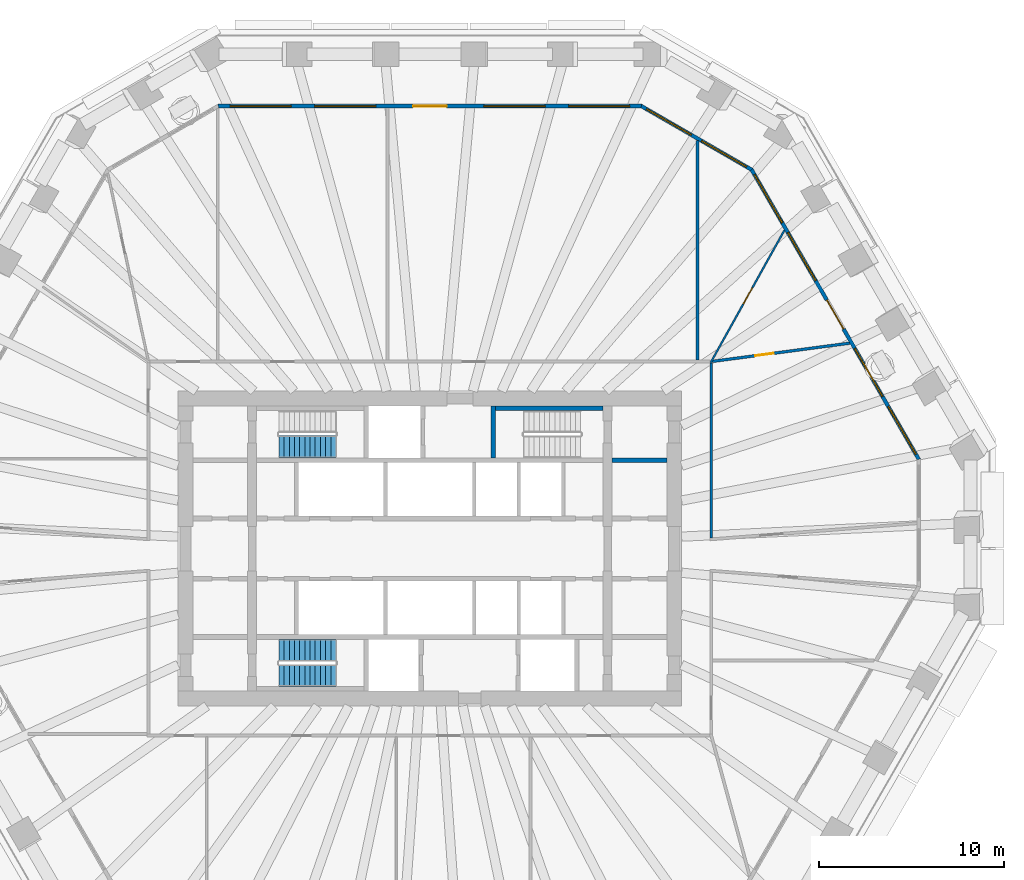
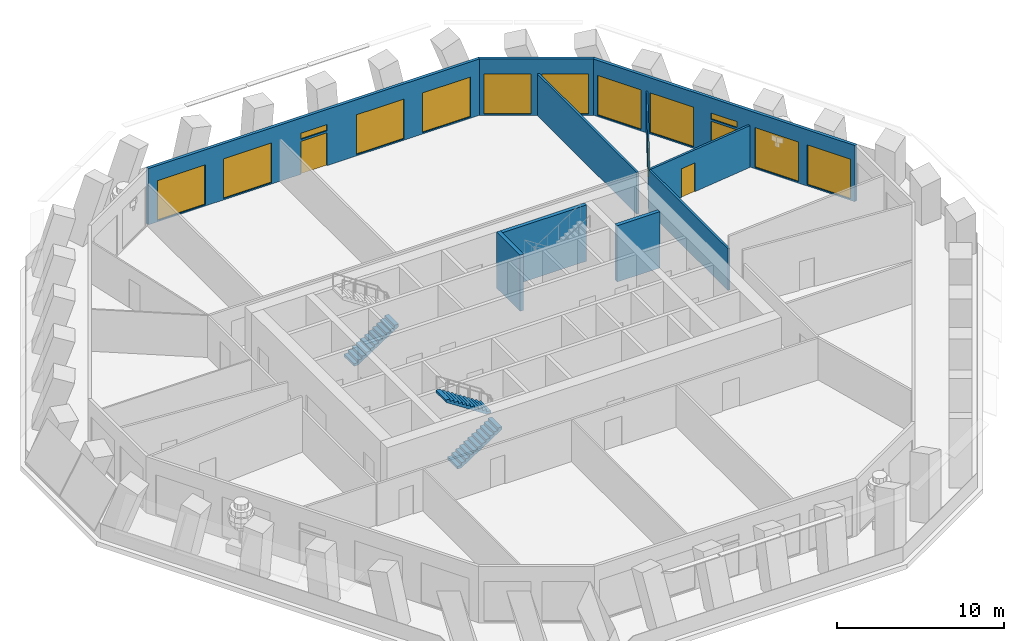
# One storey, part 7 of 12: 12 windows, 10 walls, 4 doors, 3 stair flights, 16 openings, 2 elements without a shape of their own.
"""IFC4 building model written with IfcOpenShell, lengths in metres."""

from ifc_helpers import new_model, si_unit, direction, frame, frame_2d, origin, place, context, subcontext, project, spatial, polyline, rectangle, outline, extrude, material, layer, layer_set, type_object, element, fill, aggregate, save


model = new_model("IFC4")

# Units and contexts
model_context = context("Model", 3, precision=1e-05, world=origin(), true_north=direction((0.0, 1.0)))
body_context = subcontext(model_context, "Body", "Model", "MODEL_VIEW")
ifc_project = project(units=[si_unit("LENGTHUNIT", "METRE"), si_unit("AREAUNIT", "SQUARE_METRE"), si_unit("VOLUMEUNIT", "CUBIC_METRE"), si_unit("PLANEANGLEUNIT", "RADIAN"), si_unit("MASSUNIT", "GRAM", prefix="KILO")], contexts=[model_context])

# Site, building, storey
site_placement = place(None, origin())
site = spatial("IfcSite", under=ifc_project, at=site_placement, CompositionType="ELEMENT")
building_placement = place(site_placement, origin())
building = spatial("IfcBuilding", under=site, at=building_placement, Name="Frailejon Research Tower", CompositionType="ELEMENT")
storey_placement = place(building_placement, frame((0.0, 0.0, 135.199951171875)))
storey = spatial("IfcBuildingStorey", under=building, at=storey_placement, Name="L29", CompositionType="ELEMENT", Elevation=135.199951171875)

# Wall
ifc_material_1 = material(Name="Gypsum board and masonry partition", Category="masonry")
ifc_layer_1 = layer(ifc_material_1, 0.14990234375)
ifc_layer_set_1 = layer_set([ifc_layer_1], Name="Corridor wall EI 60, gypsum on steel studs 150")
wall_type_1 = type_object("IfcWallType", Name="Corridor wall EI 60, gypsum on steel studs 150", PredefinedType="PARTITIONING", material=ifc_layer_set_1)
wall_1_placement = place(storey_placement, frame((15.199951171875, 0.57568359375, 0.0), z_axis=(0.0, 0.0, 1.0), x_axis=(0.0, 1.0, 0.0)))
element("IfcWall", 1, at=wall_1_placement, inside=storey, type_object=wall_type_1, Name="T:IW:L29:004", PredefinedType="PARTITIONING", context=body_context, shape_type="SweptSolid", body=[
    extrude(rectangle(XDim=9.44921875, YDim=0.14990234375, at=frame_2d((4.724609375, 0.0))), origin(), (0.0, 0.0, 1.0), 3.050048828125),
])

# Wall, opening, door
ifc_material_2 = material(Name="Gypsum board and masonry partition", Category="masonry")
ifc_layer_2 = layer(ifc_material_2, 0.14990234375)
ifc_layer_set_2 = layer_set([ifc_layer_2], Name="Laboratory partition, blockwork 150")
wall_type_2 = type_object("IfcWallType", Name="Laboratory partition, blockwork 150", PredefinedType="PARTITIONING", material=ifc_layer_set_2)
wall_2_placement = place(storey_placement, frame((15.24951171875, 10.106689453125, 0.0), z_axis=(0.0, 0.0, 1.0), x_axis=(0.991272259153, 0.131830604315, 0.0)))
wall_2 = element("IfcWall", 2, at=wall_2_placement, inside=storey, type_object=wall_type_2, Name="T:IW:L29:011", PredefinedType="PARTITIONING", context=body_context, shape_type="SweptSolid", body=[
    extrude(rectangle(XDim=7.4892578125, YDim=0.14990234375, at=frame_2d((3.74462890625, 0.0))), origin(), (0.0, 0.0, 1.0), 3.050048828125),
])
opening_1_placement = place(wall_2_placement, frame((2.34375, 0.0, 0.0)))
opening_1 = element("IfcOpeningElement", 3, at=opening_1_placement, cuts=wall_2, Name="Opening D1680", PredefinedType="OPENING", context=body_context, shape_type="SweptSolid", body=[
    extrude(rectangle(XDim=1.0, YDim=2.10009765625, at=frame_2d((0.5, 1.050048828125))), frame((0.0, 0.0849609375, 0.0), z_axis=(0.0, -1.0, 0.0), x_axis=(1.0, 0.0, 0.0)), (0.0, 0.0, 1.0), 0.169921875),
])
ifc_material_3 = material(Name="Timber door leaf", Category="wood")
door_type_1 = type_object("IfcDoorType", Name="Door single leaf, timber, steel frame 1000", OperationType="NOTDEFINED", PredefinedType="DOOR", material=ifc_material_3)
door_1_placement = place(opening_1_placement, origin())
door_1 = element("IfcDoor", 4, at=door_1_placement, inside=storey, type_object=door_type_1, Name="D1680", OperationType="SINGLE_SWING_RIGHT", OverallHeight=2.10009765625, OverallWidth=1.0, PredefinedType="DOOR", context=body_context, shape_type="SweptSolid", body=[
    extrude(rectangle(XDim=1.0, YDim=2.10009765625, at=frame_2d((0.5, 1.050048828125))), frame((0.0, 0.02490234375, 0.0), z_axis=(0.0, -1.0, 0.0), x_axis=(1.0, 0.0, 0.0)), (0.0, 0.0, 1.0), 0.050048828125),
])
fill(opening_1, door_1)

# Wall
wall_3_placement = place(storey_placement, frame((14.453125, 10.175048828125, 0.0), z_axis=(0.0, 0.0, 1.0), x_axis=(0.0, 1.0, 0.0)))
element("IfcWall", 5, at=wall_3_placement, inside=storey, type_object=wall_type_2, Name="T:IW:L29:012", PredefinedType="PARTITIONING", context=body_context, shape_type="SweptSolid", body=[
    extrude(rectangle(XDim=11.862060546875, YDim=0.14990234375, at=frame_2d((5.93115234375, 0.0))), origin(), (0.0, 0.0, 1.0), 3.050048828125),
])

# Wall, opening, door
ifc_material_4 = material(Name="Gypsum board and masonry partition", Category="masonry")
ifc_layer_3 = layer(ifc_material_4, 0.10009765625)
ifc_layer_set_3 = layer_set([ifc_layer_3], Name="Partition, gypsum on steel studs 100")
wall_type_3 = type_object("IfcWallType", Name="Partition, gypsum on steel studs 100", PredefinedType="PARTITIONING", material=ifc_layer_set_3)
wall_4_placement = place(storey_placement, frame((15.16357421875, 10.034423828125, 0.0), z_axis=(0.0, 0.0, 1.0), x_axis=(0.486568356271, 0.873642509655, 0.0)))
wall_4 = element("IfcWall", 6, at=wall_4_placement, inside=storey, type_object=wall_type_3, Name="T:IW:L29:019", PredefinedType="PARTITIONING", context=body_context, shape_type="SweptSolid", body=[
    extrude(rectangle(XDim=8.19580078125, YDim=0.10009765625, at=frame_2d((4.097900390625, 0.0))), origin(), (0.0, 0.0, 1.0), 3.050048828125),
])
opening_2_placement = place(wall_4_placement, frame((3.63525390625, 0.0, 0.0)))
opening_2 = element("IfcOpeningElement", 7, at=opening_2_placement, cuts=wall_4, Name="Opening D1681", PredefinedType="OPENING", context=body_context, shape_type="SweptSolid", body=[
    extrude(rectangle(XDim=1.0, YDim=2.10009765625, at=frame_2d((0.5, 1.050048828125))), frame((0.0, 0.06005859375, 0.0), z_axis=(0.0, -1.0, 0.0), x_axis=(1.0, 0.0, 0.0)), (0.0, 0.0, 1.0), 0.1201171875),
])
door_2_placement = place(opening_2_placement, origin())
door_2 = element("IfcDoor", 8, at=door_2_placement, inside=storey, type_object=door_type_1, Name="D1681", OperationType="SINGLE_SWING_LEFT", OverallHeight=2.10009765625, OverallWidth=1.0, PredefinedType="DOOR", context=body_context, shape_type="SweptSolid", body=[
    extrude(rectangle(XDim=1.0, YDim=2.10009765625, at=frame_2d((0.5, 1.050048828125))), frame((0.0, 0.02490234375, 0.0), z_axis=(0.0, -1.0, 0.0), x_axis=(1.0, 0.0, 0.0)), (0.0, 0.0, 1.0), 0.050048828125),
])
fill(opening_2, door_2)

# Walls
ifc_material_5 = material(Name="Concrete C60/75", Category="concrete")
ifc_layer_4 = layer(ifc_material_5, 0.25)
ifc_layer_set_4 = layer_set([ifc_layer_4], Name="Shaft wall 250 C60/75")
wall_type_4 = type_object("IfcWallType", Name="Shaft wall 250 C60/75", PredefinedType="SOLIDWALL", material=ifc_layer_set_4)
wall_5_placement = place(storey_placement, frame((9.85009765625, 4.77490234375, 0.0), z_axis=(0.0, 0.0, 1.0), x_axis=(1.0, 0.0, 0.0)))
element("IfcWall", 9, at=wall_5_placement, inside=storey, type_object=wall_type_4, Name="Shaft wall", PredefinedType="SOLIDWALL", context=body_context, shape_type="SweptSolid", body=[
    extrude(rectangle(XDim=2.949951171875, YDim=0.25, at=frame_2d((1.47509765625, 0.0))), origin(), (0.0, 0.0, 1.0), 4.10009765625),
])
wall_6_placement = place(storey_placement, frame((3.550048828125, 7.574951171875, 0.0), z_axis=(0.0, 0.0, 1.0), x_axis=(1.0, 0.0, 0.0)))
element("IfcWall", 10, at=wall_6_placement, inside=storey, type_object=wall_type_4, Name="Shaft wall", PredefinedType="SOLIDWALL", context=body_context, shape_type="SweptSolid", body=[
    extrude(rectangle(XDim=5.800048828125, YDim=0.25, at=frame_2d((2.89990234375, 0.0))), origin(), (0.0, 0.0, 1.0), 4.10009765625),
])
wall_7_placement = place(storey_placement, frame((3.425048828125, 4.89990234375, 0.0), z_axis=(0.0, 0.0, 1.0), x_axis=(0.0, 1.0, 0.0)))
element("IfcWall", 11, at=wall_7_placement, inside=storey, type_object=wall_type_4, Name="Shaft wall", PredefinedType="SOLIDWALL", context=body_context, shape_type="SweptSolid", body=[
    extrude(rectangle(XDim=2.800048828125, YDim=0.25, at=frame_2d((1.39990234375, 0.0))), origin(), (0.0, 0.0, 1.0), 4.10009765625),
])

# Wall, openings, door, windows
ifc_material_6 = material(Name="Concrete C40/50 precast window wall panel", Category="concrete")
ifc_layer_5 = layer(ifc_material_6, 0.199951171875)
ifc_layer_set_5 = layer_set([ifc_layer_5], Name="Window wall 200")
wall_type_5 = type_object("IfcWallType", Name="Window wall 200", PredefinedType="SOLIDWALL", material=ifc_layer_set_5)
wall_8_placement = place(storey_placement, frame((26.4111328125, 4.820068359375, 0.0), z_axis=(0.0, 0.0, 1.0), x_axis=(-0.500000137386, 0.866025324465, 0.0)))
wall_8 = element("IfcWall", 12, at=wall_8_placement, inside=storey, type_object=wall_type_5, Name="Exterior wall L29", PredefinedType="SOLIDWALL", context=body_context, shape_type="SweptSolid", body=[
    extrude(outline(polyline([(-0.02685546875, -0.10009765625), (0.9794921875, -0.10009765625), (1.986083984375, -0.10009765625), (2.992431640625, -0.10009765625), (3.9990234375, -0.10009765625), (5.00537109375, -0.10009765625), (6.011962890625, -0.10009765625), (7.018310546875, -0.10009765625), (8.02490234375, -0.10009765625), (9.03125, -0.10009765625), (10.03759765625, -0.10009765625), (11.044189453125, -0.10009765625), (12.050537109375, -0.10009765625), (13.05712890625, -0.10009765625), (14.0634765625, -0.10009765625), (15.070068359375, -0.10009765625), (16.076416015625, -0.10009765625), (17.0830078125, -0.10009765625), (18.08935546875, -0.10009765625), (18.03564453125, 0.10009765625), (17.03515625, 0.10009765625), (16.03466796875, 0.10009765625), (15.0341796875, 0.10009765625), (14.03369140625, 0.10009765625), (13.033203125, 0.10009765625), (12.03271484375, 0.10009765625), (11.0322265625, 0.10009765625), (10.03173828125, 0.10009765625), (9.03125, 0.10009765625), (8.03076171875, 0.10009765625), (7.0302734375, 0.10009765625), (6.02978515625, 0.10009765625), (5.029296875, 0.10009765625), (4.02880859375, 0.10009765625), (3.0283203125, 0.10009765625), (2.02783203125, 0.10009765625), (1.02734375, 0.10009765625), (0.02685546875, 0.10009765625), (-0.02685546875, -0.10009765625)])), origin(), (0.0, 0.0, 1.0), 4.10009765625),
])
opening_3_placement = place(wall_8_placement, frame((0.306396484375, 0.0, 0.10009765625)))
opening_3 = element("IfcOpeningElement", 13, at=opening_3_placement, cuts=wall_8, Name="Opening W4", PredefinedType="OPENING", context=body_context, shape_type="SweptSolid", body=[
    extrude(rectangle(XDim=3.0, YDim=2.89990234375, at=frame_2d((1.5, 1.449951171875))), frame((0.0, 0.10986328125, 0.0), z_axis=(0.0, -1.0, 0.0), x_axis=(1.0, 0.0, 0.0)), (0.0, 0.0, 1.0), 0.219970703125),
])
opening_4_placement = place(wall_8_placement, frame((3.918701171875, 0.0, 0.10009765625)))
opening_4 = element("IfcOpeningElement", 14, at=opening_4_placement, cuts=wall_8, Name="Opening W4", PredefinedType="OPENING", context=body_context, shape_type="SweptSolid", body=[
    extrude(rectangle(XDim=3.0, YDim=2.89990234375, at=frame_2d((1.5, 1.449951171875))), frame((0.0, 0.10986328125, 0.0), z_axis=(0.0, -1.0, 0.0), x_axis=(1.0, 0.0, 0.0)), (0.0, 0.0, 1.0), 0.219970703125),
])
opening_5_placement = place(wall_8_placement, frame((8.13134765625, 0.0, 0.0)))
opening_5 = element("IfcOpeningElement", 15, at=opening_5_placement, cuts=wall_8, Name="Opening LG29-1", PredefinedType="OPENING", context=body_context, shape_type="SweptSolid", body=[
    extrude(rectangle(XDim=1.800048828125, YDim=2.39990234375, at=frame_2d((0.89990234375, 1.199951171875))), frame((0.0, 0.10986328125, 0.0), z_axis=(0.0, -1.0, 0.0), x_axis=(1.0, 0.0, 0.0)), (0.0, 0.0, 1.0), 0.219970703125),
])
opening_6_placement = place(wall_8_placement, frame((8.13134765625, 0.0, 2.550048828125)))
opening_6 = element("IfcOpeningElement", 16, at=opening_6_placement, cuts=wall_8, Name="Opening W1", PredefinedType="OPENING", context=body_context, shape_type="SweptSolid", body=[
    extrude(rectangle(XDim=1.800048828125, YDim=0.449951171875, at=frame_2d((0.89990234375, 0.22509765625))), frame((0.0, 0.10986328125, 0.0), z_axis=(0.0, -1.0, 0.0), x_axis=(1.0, 0.0, 0.0)), (0.0, 0.0, 1.0), 0.219970703125),
])
opening_7_placement = place(wall_8_placement, frame((11.143798828125, 0.0, 0.10009765625)))
opening_7 = element("IfcOpeningElement", 17, at=opening_7_placement, cuts=wall_8, Name="Opening W4", PredefinedType="OPENING", context=body_context, shape_type="SweptSolid", body=[
    extrude(rectangle(XDim=3.0, YDim=2.89990234375, at=frame_2d((1.5, 1.449951171875))), frame((0.0, 0.10986328125, 0.0), z_axis=(0.0, -1.0, 0.0), x_axis=(1.0, 0.0, 0.0)), (0.0, 0.0, 1.0), 0.219970703125),
])
opening_8_placement = place(wall_8_placement, frame((14.75634765625, 0.0, 0.10009765625)))
opening_8 = element("IfcOpeningElement", 18, at=opening_8_placement, cuts=wall_8, Name="Opening W4", PredefinedType="OPENING", context=body_context, shape_type="SweptSolid", body=[
    extrude(rectangle(XDim=3.0, YDim=2.89990234375, at=frame_2d((1.5, 1.449951171875))), frame((0.0, 0.10986328125, 0.0), z_axis=(0.0, -1.0, 0.0), x_axis=(1.0, 0.0, 0.0)), (0.0, 0.0, 1.0), 0.219970703125),
])
ifc_material_7 = material(Name="Aluminium framed glazed door leaf", Category="aluminium")
door_type_2 = type_object("IfcDoorType", Name="Loggia door 1800x2400", OperationType="DOUBLE_DOOR_SINGLE_SWING", PredefinedType="DOOR", material=ifc_material_7)
door_3_placement = place(opening_5_placement, origin())
door_3 = element("IfcDoor", 19, at=door_3_placement, inside=storey, type_object=door_type_2, Name="Door LG29-1", OperationType="DOUBLE_DOOR_SINGLE_SWING", OverallHeight=2.39990234375, OverallWidth=1.800048828125, PredefinedType="DOOR", context=body_context, shape_type="SweptSolid", body=[
    extrude(rectangle(XDim=1.800048828125, YDim=2.39990234375, at=frame_2d((0.89990234375, 1.199951171875))), frame((0.0, 0.02490234375, 0.0), z_axis=(0.0, -1.0, 0.0), x_axis=(1.0, 0.0, 0.0)), (0.0, 0.0, 1.0), 0.050048828125),
])
fill(opening_5, door_3)
ifc_material_8 = material(Name="Aluminium framed double glazing", Category="aluminium")
window_type_1 = type_object("IfcWindowType", Name="Window 1800x450", PartitioningType="SINGLE_PANEL", PredefinedType="WINDOW", material=ifc_material_8)
window_1_placement = place(opening_6_placement, origin())
window_1 = element("IfcWindow", 20, at=window_1_placement, inside=storey, type_object=window_type_1, Name="Window L29", OverallHeight=0.449951171875, OverallWidth=1.800048828125, PartitioningType="SINGLE_PANEL", PredefinedType="WINDOW", context=body_context, shape_type="SweptSolid", body=[
    extrude(rectangle(XDim=1.800048828125, YDim=0.449951171875, at=frame_2d((0.89990234375, 0.22509765625))), frame((0.0, 0.030029296875, 0.0), z_axis=(0.0, -1.0, 0.0), x_axis=(1.0, 0.0, 0.0)), (0.0, 0.0, 1.0), 0.06005859375),
])
fill(opening_6, window_1)
ifc_material_9 = material(Name="Aluminium framed double glazing", Category="aluminium")
window_type_2 = type_object("IfcWindowType", Name="Window 3000x2900", PartitioningType="SINGLE_PANEL", PredefinedType="WINDOW", material=ifc_material_9)
window_2_placement = place(opening_3_placement, origin())
window_2 = element("IfcWindow", 21, at=window_2_placement, inside=storey, type_object=window_type_2, Name="Window L29", OverallHeight=2.89990234375, OverallWidth=3.0, PartitioningType="SINGLE_PANEL", PredefinedType="WINDOW", context=body_context, shape_type="SweptSolid", body=[
    extrude(rectangle(XDim=3.0, YDim=2.89990234375, at=frame_2d((1.5, 1.449951171875))), frame((0.0, 0.030029296875, 0.0), z_axis=(0.0, -1.0, 0.0), x_axis=(1.0, 0.0, 0.0)), (0.0, 0.0, 1.0), 0.06005859375),
])
fill(opening_3, window_2)
window_3_placement = place(opening_4_placement, origin())
window_3 = element("IfcWindow", 22, at=window_3_placement, inside=storey, type_object=window_type_2, Name="Window L29", OverallHeight=2.89990234375, OverallWidth=3.0, PartitioningType="SINGLE_PANEL", PredefinedType="WINDOW", context=body_context, shape_type="SweptSolid", body=[
    extrude(rectangle(XDim=3.0, YDim=2.89990234375, at=frame_2d((1.5, 1.449951171875))), frame((0.0, 0.030029296875, 0.0), z_axis=(0.0, -1.0, 0.0), x_axis=(1.0, 0.0, 0.0)), (0.0, 0.0, 1.0), 0.06005859375),
])
fill(opening_4, window_3)
window_4_placement = place(opening_7_placement, origin())
window_4 = element("IfcWindow", 23, at=window_4_placement, inside=storey, type_object=window_type_2, Name="Window L29", OverallHeight=2.89990234375, OverallWidth=3.0, PartitioningType="SINGLE_PANEL", PredefinedType="WINDOW", context=body_context, shape_type="SweptSolid", body=[
    extrude(rectangle(XDim=3.0, YDim=2.89990234375, at=frame_2d((1.5, 1.449951171875))), frame((0.0, 0.030029296875, 0.0), z_axis=(0.0, -1.0, 0.0), x_axis=(1.0, 0.0, 0.0)), (0.0, 0.0, 1.0), 0.06005859375),
])
fill(opening_7, window_4)
window_5_placement = place(opening_8_placement, origin())
window_5 = element("IfcWindow", 24, at=window_5_placement, inside=storey, type_object=window_type_2, Name="Window L29", OverallHeight=2.89990234375, OverallWidth=3.0, PartitioningType="SINGLE_PANEL", PredefinedType="WINDOW", context=body_context, shape_type="SweptSolid", body=[
    extrude(rectangle(XDim=3.0, YDim=2.89990234375, at=frame_2d((1.5, 1.449951171875))), frame((0.0, 0.030029296875, 0.0), z_axis=(0.0, -1.0, 0.0), x_axis=(1.0, 0.0, 0.0)), (0.0, 0.0, 1.0), 0.06005859375),
])
fill(opening_8, window_5)

# Wall, openings, windows
wall_9_placement = place(storey_placement, frame((17.3798828125, 20.462646484375, 0.0), z_axis=(0.0, 0.0, 1.0), x_axis=(-0.866029458321, 0.49999297727, 0.0)))
wall_9 = element("IfcWall", 25, at=wall_9_placement, inside=storey, type_object=wall_type_5, Name="Exterior wall L29", PredefinedType="SOLIDWALL", context=body_context, shape_type="SweptSolid", body=[
    extrude(outline(polyline([(-0.02685546875, -0.10009765625), (1.1279296875, -0.10009765625), (2.282470703125, -0.10009765625), (3.437255859375, -0.10009765625), (4.592041015625, -0.10009765625), (5.74658203125, -0.10009765625), (6.9013671875, -0.10009765625), (6.84765625, 0.10009765625), (5.7109375, 0.10009765625), (4.573974609375, 0.10009765625), (3.437255859375, 0.10009765625), (2.300537109375, 0.10009765625), (1.16357421875, 0.10009765625), (0.02685546875, 0.10009765625), (-0.02685546875, -0.10009765625)])), origin(), (0.0, 0.0, 1.0), 4.10009765625),
])
opening_9_placement = place(wall_9_placement, frame((0.318603515625, 0.0, 0.10009765625)))
opening_9 = element("IfcOpeningElement", 26, at=opening_9_placement, cuts=wall_9, Name="Opening W3", PredefinedType="OPENING", context=body_context, shape_type="SweptSolid", body=[
    extrude(rectangle(XDim=2.800048828125, YDim=2.89990234375, at=frame_2d((1.39990234375, 1.449951171875))), frame((0.0, 0.10986328125, 0.0), z_axis=(0.0, -1.0, 0.0), x_axis=(1.0, 0.0, 0.0)), (0.0, 0.0, 1.0), 0.219970703125),
])
opening_10_placement = place(wall_9_placement, frame((3.756103515625, 0.0, 0.10009765625)))
opening_10 = element("IfcOpeningElement", 27, at=opening_10_placement, cuts=wall_9, Name="Opening W3", PredefinedType="OPENING", context=body_context, shape_type="SweptSolid", body=[
    extrude(rectangle(XDim=2.800048828125, YDim=2.89990234375, at=frame_2d((1.39990234375, 1.449951171875))), frame((0.0, 0.10986328125, 0.0), z_axis=(0.0, -1.0, 0.0), x_axis=(1.0, 0.0, 0.0)), (0.0, 0.0, 1.0), 0.219970703125),
])
ifc_material_10 = material(Name="Aluminium framed double glazing", Category="aluminium")
window_type_3 = type_object("IfcWindowType", Name="Window 2800x2900", PartitioningType="SINGLE_PANEL", PredefinedType="WINDOW", material=ifc_material_10)
window_6_placement = place(opening_9_placement, origin())
window_6 = element("IfcWindow", 28, at=window_6_placement, inside=storey, type_object=window_type_3, Name="Window L29", OverallHeight=2.89990234375, OverallWidth=2.800048828125, PartitioningType="SINGLE_PANEL", PredefinedType="WINDOW", context=body_context, shape_type="SweptSolid", body=[
    extrude(rectangle(XDim=2.800048828125, YDim=2.89990234375, at=frame_2d((1.39990234375, 1.449951171875))), frame((0.0, 0.030029296875, 0.0), z_axis=(0.0, -1.0, 0.0), x_axis=(1.0, 0.0, 0.0)), (0.0, 0.0, 1.0), 0.06005859375),
])
fill(opening_9, window_6)
window_7_placement = place(opening_10_placement, origin())
window_7 = element("IfcWindow", 29, at=window_7_placement, inside=storey, type_object=window_type_3, Name="Window L29", OverallHeight=2.89990234375, OverallWidth=2.800048828125, PartitioningType="SINGLE_PANEL", PredefinedType="WINDOW", context=body_context, shape_type="SweptSolid", body=[
    extrude(rectangle(XDim=2.800048828125, YDim=2.89990234375, at=frame_2d((1.39990234375, 1.449951171875))), frame((0.0, 0.030029296875, 0.0), z_axis=(0.0, -1.0, 0.0), x_axis=(1.0, 0.0, 0.0)), (0.0, 0.0, 1.0), 0.06005859375),
])
fill(opening_10, window_7)

# Wall, openings, door, windows
wall_10_placement = place(storey_placement, frame((11.42626953125, 23.89990234375, 0.0), z_axis=(0.0, 0.0, 1.0), x_axis=(-1.0, 0.0, 0.0)))
wall_10 = element("IfcWall", 30, at=wall_10_placement, inside=storey, type_object=wall_type_5, Name="Exterior wall L29", PredefinedType="SOLIDWALL", context=body_context, shape_type="SweptSolid", body=[
    extrude(outline(polyline([(-0.02685546875, -0.10009765625), (1.014404296875, -0.10009765625), (2.055419921875, -0.10009765625), (3.0966796875, -0.10009765625), (4.137939453125, -0.10009765625), (5.17919921875, -0.10009765625), (6.22021484375, -0.10009765625), (7.261474609375, -0.10009765625), (8.302734375, -0.10009765625), (9.343994140625, -0.10009765625), (10.385009765625, -0.10009765625), (11.42626953125, -0.10009765625), (12.467529296875, -0.10009765625), (13.508544921875, -0.10009765625), (14.5498046875, -0.10009765625), (15.591064453125, -0.10009765625), (16.63232421875, -0.10009765625), (17.67333984375, -0.10009765625), (18.714599609375, -0.10009765625), (19.755859375, -0.10009765625), (20.797119140625, -0.10009765625), (21.838134765625, -0.10009765625), (22.87939453125, -0.10009765625), (22.82568359375, 0.10009765625), (21.789306640625, 0.10009765625), (20.753173828125, 0.10009765625), (19.716796875, 0.10009765625), (18.680419921875, 0.10009765625), (17.64404296875, 0.10009765625), (16.60791015625, 0.10009765625), (15.571533203125, 0.10009765625), (14.53515625, 0.10009765625), (13.498779296875, 0.10009765625), (12.462646484375, 0.10009765625), (11.42626953125, 0.10009765625), (10.389892578125, 0.10009765625), (9.353759765625, 0.10009765625), (8.3173828125, 0.10009765625), (7.281005859375, 0.10009765625), (6.24462890625, 0.10009765625), (5.20849609375, 0.10009765625), (4.172119140625, 0.10009765625), (3.1357421875, 0.10009765625), (2.099365234375, 0.10009765625), (1.063232421875, 0.10009765625), (0.02685546875, 0.10009765625), (-0.02685546875, -0.10009765625)])), origin(), (0.0, 0.0, 1.0), 4.10009765625),
])
opening_11_placement = place(wall_10_placement, frame((0.63525390625, 0.0, 0.10009765625)))
opening_11 = element("IfcOpeningElement", 31, at=opening_11_placement, cuts=wall_10, Name="Opening W5", PredefinedType="OPENING", context=body_context, shape_type="SweptSolid", body=[
    extrude(rectangle(XDim=3.300048828125, YDim=2.89990234375, at=frame_2d((1.64990234375, 1.449951171875))), frame((0.0, 0.10986328125, 0.0), z_axis=(0.0, -1.0, 0.0), x_axis=(1.0, 0.0, 0.0)), (0.0, 0.0, 1.0), 0.219970703125),
])
opening_12_placement = place(wall_10_placement, frame((5.205810546875, 0.0, 0.10009765625)))
opening_12 = element("IfcOpeningElement", 32, at=opening_12_placement, cuts=wall_10, Name="Opening W5", PredefinedType="OPENING", context=body_context, shape_type="SweptSolid", body=[
    extrude(rectangle(XDim=3.300048828125, YDim=2.89990234375, at=frame_2d((1.64990234375, 1.449951171875))), frame((0.0, 0.10986328125, 0.0), z_axis=(0.0, -1.0, 0.0), x_axis=(1.0, 0.0, 0.0)), (0.0, 0.0, 1.0), 0.219970703125),
])
opening_13_placement = place(wall_10_placement, frame((10.5263671875, 0.0, 0.0)))
opening_13 = element("IfcOpeningElement", 33, at=opening_13_placement, cuts=wall_10, Name="Opening LG29-2", PredefinedType="OPENING", context=body_context, shape_type="SweptSolid", body=[
    extrude(rectangle(XDim=1.800048828125, YDim=2.39990234375, at=frame_2d((0.89990234375, 1.199951171875))), frame((0.0, 0.10986328125, 0.0), z_axis=(0.0, -1.0, 0.0), x_axis=(1.0, 0.0, 0.0)), (0.0, 0.0, 1.0), 0.219970703125),
])
opening_14_placement = place(wall_10_placement, frame((10.5263671875, 0.0, 2.550048828125)))
opening_14 = element("IfcOpeningElement", 34, at=opening_14_placement, cuts=wall_10, Name="Opening W1", PredefinedType="OPENING", context=body_context, shape_type="SweptSolid", body=[
    extrude(rectangle(XDim=1.800048828125, YDim=0.449951171875, at=frame_2d((0.89990234375, 0.22509765625))), frame((0.0, 0.10986328125, 0.0), z_axis=(0.0, -1.0, 0.0), x_axis=(1.0, 0.0, 0.0)), (0.0, 0.0, 1.0), 0.219970703125),
])
opening_15_placement = place(wall_10_placement, frame((14.3466796875, 0.0, 0.10009765625)))
opening_15 = element("IfcOpeningElement", 35, at=opening_15_placement, cuts=wall_10, Name="Opening W5", PredefinedType="OPENING", context=body_context, shape_type="SweptSolid", body=[
    extrude(rectangle(XDim=3.300048828125, YDim=2.89990234375, at=frame_2d((1.64990234375, 1.449951171875))), frame((0.0, 0.10986328125, 0.0), z_axis=(0.0, -1.0, 0.0), x_axis=(1.0, 0.0, 0.0)), (0.0, 0.0, 1.0), 0.219970703125),
])
opening_16_placement = place(wall_10_placement, frame((18.917236328125, 0.0, 0.10009765625)))
opening_16 = element("IfcOpeningElement", 36, at=opening_16_placement, cuts=wall_10, Name="Opening W5", PredefinedType="OPENING", context=body_context, shape_type="SweptSolid", body=[
    extrude(rectangle(XDim=3.300048828125, YDim=2.89990234375, at=frame_2d((1.64990234375, 1.449951171875))), frame((0.0, 0.10986328125, 0.0), z_axis=(0.0, -1.0, 0.0), x_axis=(1.0, 0.0, 0.0)), (0.0, 0.0, 1.0), 0.219970703125),
])
door_4_placement = place(opening_13_placement, origin())
door_4 = element("IfcDoor", 37, at=door_4_placement, inside=storey, type_object=door_type_2, Name="Door LG29-2", OperationType="DOUBLE_DOOR_SINGLE_SWING", OverallHeight=2.39990234375, OverallWidth=1.800048828125, PredefinedType="DOOR", context=body_context, shape_type="SweptSolid", body=[
    extrude(rectangle(XDim=1.800048828125, YDim=2.39990234375, at=frame_2d((0.89990234375, 1.199951171875))), frame((0.0, 0.02490234375, 0.0), z_axis=(0.0, -1.0, 0.0), x_axis=(1.0, 0.0, 0.0)), (0.0, 0.0, 1.0), 0.050048828125),
])
fill(opening_13, door_4)
window_8_placement = place(opening_14_placement, origin())
window_8 = element("IfcWindow", 38, at=window_8_placement, inside=storey, type_object=window_type_1, Name="Window L29", OverallHeight=0.449951171875, OverallWidth=1.800048828125, PartitioningType="SINGLE_PANEL", PredefinedType="WINDOW", context=body_context, shape_type="SweptSolid", body=[
    extrude(rectangle(XDim=1.800048828125, YDim=0.449951171875, at=frame_2d((0.89990234375, 0.22509765625))), frame((0.0, 0.030029296875, 0.0), z_axis=(0.0, -1.0, 0.0), x_axis=(1.0, 0.0, 0.0)), (0.0, 0.0, 1.0), 0.06005859375),
])
fill(opening_14, window_8)
ifc_material_11 = material(Name="Aluminium framed double glazing", Category="aluminium")
window_type_4 = type_object("IfcWindowType", Name="Window 3300x2900", PartitioningType="SINGLE_PANEL", PredefinedType="WINDOW", material=ifc_material_11)
window_9_placement = place(opening_11_placement, origin())
window_9 = element("IfcWindow", 39, at=window_9_placement, inside=storey, type_object=window_type_4, Name="Window L29", OverallHeight=2.89990234375, OverallWidth=3.300048828125, PartitioningType="SINGLE_PANEL", PredefinedType="WINDOW", context=body_context, shape_type="SweptSolid", body=[
    extrude(rectangle(XDim=3.300048828125, YDim=2.89990234375, at=frame_2d((1.64990234375, 1.449951171875))), frame((0.0, 0.030029296875, 0.0), z_axis=(0.0, -1.0, 0.0), x_axis=(1.0, 0.0, 0.0)), (0.0, 0.0, 1.0), 0.06005859375),
])
fill(opening_11, window_9)
window_10_placement = place(opening_12_placement, origin())
window_10 = element("IfcWindow", 40, at=window_10_placement, inside=storey, type_object=window_type_4, Name="Window L29", OverallHeight=2.89990234375, OverallWidth=3.300048828125, PartitioningType="SINGLE_PANEL", PredefinedType="WINDOW", context=body_context, shape_type="SweptSolid", body=[
    extrude(rectangle(XDim=3.300048828125, YDim=2.89990234375, at=frame_2d((1.64990234375, 1.449951171875))), frame((0.0, 0.030029296875, 0.0), z_axis=(0.0, -1.0, 0.0), x_axis=(1.0, 0.0, 0.0)), (0.0, 0.0, 1.0), 0.06005859375),
])
fill(opening_12, window_10)
window_11_placement = place(opening_15_placement, origin())
window_11 = element("IfcWindow", 41, at=window_11_placement, inside=storey, type_object=window_type_4, Name="Window L29", OverallHeight=2.89990234375, OverallWidth=3.300048828125, PartitioningType="SINGLE_PANEL", PredefinedType="WINDOW", context=body_context, shape_type="SweptSolid", body=[
    extrude(rectangle(XDim=3.300048828125, YDim=2.89990234375, at=frame_2d((1.64990234375, 1.449951171875))), frame((0.0, 0.030029296875, 0.0), z_axis=(0.0, -1.0, 0.0), x_axis=(1.0, 0.0, 0.0)), (0.0, 0.0, 1.0), 0.06005859375),
])
fill(opening_15, window_11)
window_12_placement = place(opening_16_placement, origin())
window_12 = element("IfcWindow", 42, at=window_12_placement, inside=storey, type_object=window_type_4, Name="Window L29", OverallHeight=2.89990234375, OverallWidth=3.300048828125, PartitioningType="SINGLE_PANEL", PredefinedType="WINDOW", context=body_context, shape_type="SweptSolid", body=[
    extrude(rectangle(XDim=3.300048828125, YDim=2.89990234375, at=frame_2d((1.64990234375, 1.449951171875))), frame((0.0, 0.030029296875, 0.0), z_axis=(0.0, -1.0, 0.0), x_axis=(1.0, 0.0, 0.0)), (0.0, 0.0, 1.0), 0.06005859375),
])
fill(opening_16, window_12)

# Stair, stair flight
ifc_material_12 = material(Name="Concrete C50/60", Category="concrete")
stair_type = type_object("IfcStairType", Name="Exit stair 24 risers", PredefinedType="HALF_TURN_STAIR", material=ifc_material_12)
stair_1_placement = place(storey_placement, origin())
stair_1 = element("IfcStair", 43, at=stair_1_placement, inside=storey, type_object=stair_type, Name="L29 Exit stair ST1", PredefinedType="HALF_TURN_STAIR")
ifc_material_13 = material(Name="Concrete C50/60", Category="concrete")
ifc_layer_6 = layer(ifc_material_13, 0.14990234375)
ifc_layer_set_6 = layer_set([ifc_layer_6], Name="Stair flight 12 risers")
stair_flight_type = type_object("IfcStairFlightType", Name="Stair flight 12 risers", PredefinedType="STRAIGHT", material=ifc_layer_set_6)
stair_flight_1_placement = place(storey_placement, frame((-8.14990234375, 5.5, 0.0), z_axis=(0.0, 0.0, 1.0), x_axis=(1.0, 0.0, 0.0)))
stair_flight_1 = element("IfcStairFlight", 44, at=stair_flight_1_placement, type_object=stair_flight_type, Name="ST1 flight 1", NumberOfRisers=12, NumberOfTreads=11, PredefinedType="STRAIGHT", RiserHeight=0.183333333, TreadLength=0.28, context=body_context, shape_type="SweptSolid", body=[
    extrude(outline(polyline([(0.0, 0.0), (0.0, 0.183349609375), (0.280029296875, 0.183349609375), (0.280029296875, 0.36669921875), (0.56005859375, 0.36669921875), (0.56005859375, 0.550048828125), (0.840087890625, 0.550048828125), (0.840087890625, 0.7333984375), (1.1201171875, 0.7333984375), (1.1201171875, 0.916748046875), (1.39990234375, 0.916748046875), (1.39990234375, 1.10009765625), (1.679931640625, 1.10009765625), (1.679931640625, 1.283447265625), (1.9599609375, 1.283447265625), (1.9599609375, 1.466552734375), (2.239990234375, 1.466552734375), (2.239990234375, 1.64990234375), (2.52001953125, 1.64990234375), (2.52001953125, 1.833251953125), (2.800048828125, 1.833251953125), (2.800048828125, 2.0166015625), (3.080078125, 2.0166015625), (3.080078125, 2.199951171875), (3.080078125, 1.83740234375), (0.273681640625, 0.0), (0.0, 0.0)])), frame((0.0, 0.60009765625, 0.0), z_axis=(0.0, -1.0, 0.0), x_axis=(1.0, 0.0, 0.0)), (0.0, 0.0, 1.0), 1.199951171875),
])
aggregate(stair_1, [stair_flight_1])

# Stair, stair flights
stair_2_placement = place(storey_placement, origin())
stair_2 = element("IfcStair", 45, at=stair_2_placement, inside=storey, type_object=stair_type, Name="L29 Exit stair ST2", PredefinedType="HALF_TURN_STAIR")
stair_flight_2_placement = place(storey_placement, frame((-8.14990234375, -6.85009765625, 0.0), z_axis=(0.0, 0.0, 1.0), x_axis=(1.0, 0.0, 0.0)))
stair_flight_2 = element("IfcStairFlight", 46, at=stair_flight_2_placement, type_object=stair_flight_type, Name="ST2 flight 1", NumberOfRisers=12, NumberOfTreads=11, PredefinedType="STRAIGHT", RiserHeight=0.183333333, TreadLength=0.28, context=body_context, shape_type="SweptSolid", body=[
    extrude(outline(polyline([(0.0, 0.0), (0.0, 0.183349609375), (0.280029296875, 0.183349609375), (0.280029296875, 0.36669921875), (0.56005859375, 0.36669921875), (0.56005859375, 0.550048828125), (0.840087890625, 0.550048828125), (0.840087890625, 0.7333984375), (1.1201171875, 0.7333984375), (1.1201171875, 0.916748046875), (1.39990234375, 0.916748046875), (1.39990234375, 1.10009765625), (1.679931640625, 1.10009765625), (1.679931640625, 1.283447265625), (1.9599609375, 1.283447265625), (1.9599609375, 1.466552734375), (2.239990234375, 1.466552734375), (2.239990234375, 1.64990234375), (2.52001953125, 1.64990234375), (2.52001953125, 1.833251953125), (2.800048828125, 1.833251953125), (2.800048828125, 2.0166015625), (3.080078125, 2.0166015625), (3.080078125, 2.199951171875), (3.080078125, 1.83740234375), (0.273681640625, 0.0), (0.0, 0.0)])), frame((0.0, 0.60009765625, 0.0), z_axis=(0.0, -1.0, 0.0), x_axis=(1.0, 0.0, 0.0)), (0.0, 0.0, 1.0), 1.199951171875),
])
stair_flight_3_placement = place(storey_placement, frame((-5.070068359375, -5.5, 2.199951171875), z_axis=(0.0, 0.0, 1.0), x_axis=(-1.0, 0.0, 0.0)))
stair_flight_3 = element("IfcStairFlight", 47, at=stair_flight_3_placement, type_object=stair_flight_type, Name="ST2 flight 2", NumberOfRisers=12, NumberOfTreads=11, PredefinedType="STRAIGHT", RiserHeight=0.183333333, TreadLength=0.28, context=body_context, shape_type="SweptSolid", body=[
    extrude(outline(polyline([(0.0, 0.0), (0.0, 0.183349609375), (0.280029296875, 0.183349609375), (0.280029296875, 0.36669921875), (0.56005859375, 0.36669921875), (0.56005859375, 0.550048828125), (0.840087890625, 0.550048828125), (0.840087890625, 0.7333984375), (1.1201171875, 0.7333984375), (1.1201171875, 0.916748046875), (1.39990234375, 0.916748046875), (1.39990234375, 1.10009765625), (1.679931640625, 1.10009765625), (1.679931640625, 1.283447265625), (1.9599609375, 1.283447265625), (1.9599609375, 1.466552734375), (2.239990234375, 1.466552734375), (2.239990234375, 1.64990234375), (2.52001953125, 1.64990234375), (2.52001953125, 1.833251953125), (2.800048828125, 1.833251953125), (2.800048828125, 2.0166015625), (3.080078125, 2.0166015625), (3.080078125, 2.199951171875), (3.080078125, 1.83740234375), (0.273681640625, 0.0), (0.0, 0.0)])), frame((0.0, 0.60009765625, 0.0), z_axis=(0.0, -1.0, 0.0), x_axis=(1.0, 0.0, 0.0)), (0.0, 0.0, 1.0), 1.199951171875),
])
aggregate(stair_2, [stair_flight_2, stair_flight_3])

save(model, "model.ifc")
